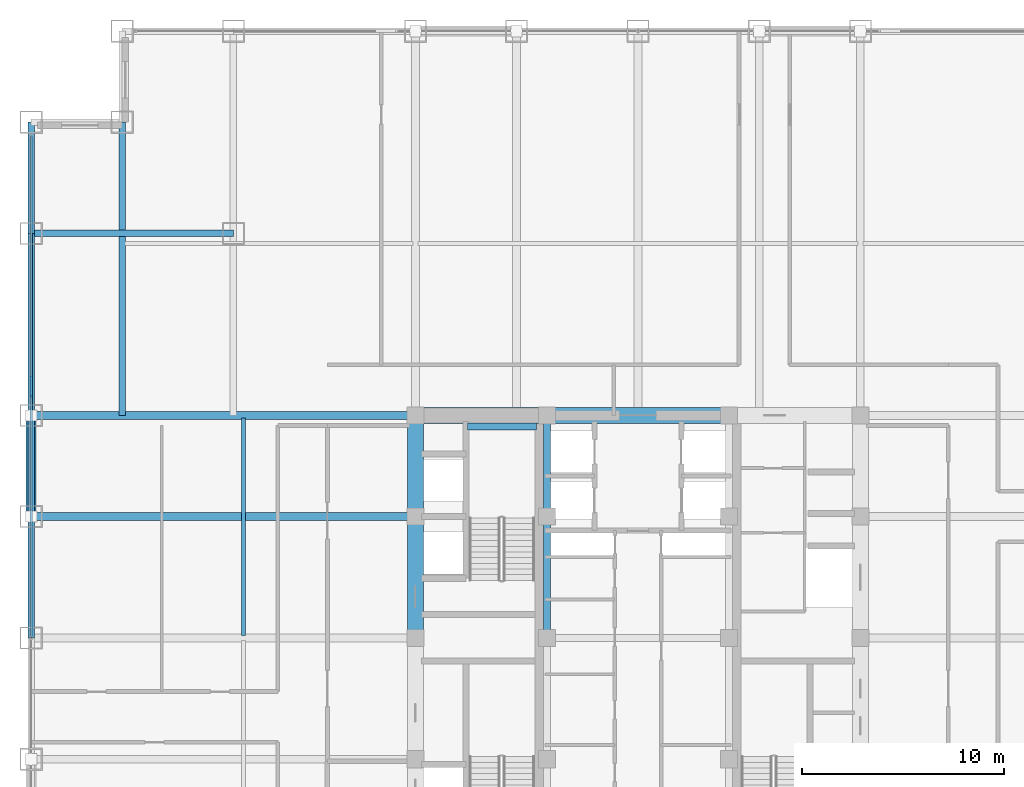
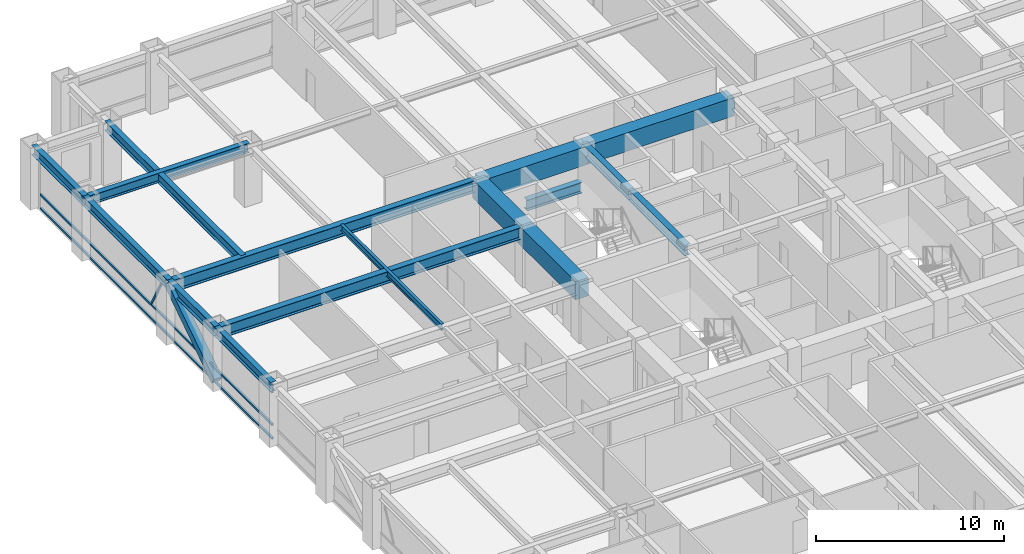
# One storey, part 11 of 24: 16 beams, 5 members, 1 element without a shape of its own.
"""IFC4 building model written with IfcOpenShell, lengths in metres."""

from ifc_helpers import new_model, si_unit, direction, frame, origin, origin_2d, place, context, subcontext, project, spatial, rectangle, hollow_rectangle, i_section, extrude, source, transform, mapped, material, material_profile, profile_set, type_object, element, aggregate, save


model = new_model("IFC4")

# Units and contexts
model_context = context("Model", 3, precision=1e-05, world=origin(), true_north=direction((0.0, 1.0)))
body_context = subcontext(model_context, "Body", "Model", "MODEL_VIEW")
ifc_project = project(units=[si_unit("LENGTHUNIT", "METRE"), si_unit("AREAUNIT", "SQUARE_METRE"), si_unit("VOLUMEUNIT", "CUBIC_METRE"), si_unit("PLANEANGLEUNIT", "RADIAN"), si_unit("MASSUNIT", "GRAM", prefix="KILO")], contexts=[model_context])

# Site, building, storey
site_placement = place(None, origin())
site = spatial("IfcSite", under=ifc_project, at=site_placement, CompositionType="ELEMENT")
building_placement = place(site_placement, origin())
building = spatial("IfcBuilding", under=site, at=building_placement, Name="Khorayat Bourse Tower", CompositionType="ELEMENT")
storey_placement = place(building_placement, frame((0.0, 0.0, 179.10009765625)))
storey = spatial("IfcBuildingStorey", under=building, at=storey_placement, Name="L41", CompositionType="ELEMENT", Elevation=179.10009765625)

# Beams
ifc_material_1 = material(Name="Concrete C72/90", Category="concrete")
ifc_material_profile_1 = material_profile(ifc_material_1, rectangle(XDim=0.800048828125, YDim=1.199951171875, at=origin_2d()), Name="RC 800x1200")
ifc_profile_set_1 = profile_set([ifc_material_profile_1], Name="Concrete C72/90")
beam_type_1 = type_object("IfcBeamType", Name="BM-COUP-1200", PredefinedType="BEAM", material=ifc_profile_set_1)
shared_shape_1 = source(origin(), body_context, "Body", "SweptSolid", [
    extrude(rectangle(XDim=0.800048828125, YDim=1.199951171875, at=origin_2d()), origin(), (0.0, 0.0, 1.0), 5.0),
])
beam_1_placement = place(storey_placement, frame((-11.0, 6.0, 3.179931640625), z_axis=(0.0, 1.0, 0.0), x_axis=(-1.0, 0.0, 0.0)))
element("IfcBeam", 1, at=beam_1_placement, inside=storey, type_object=beam_type_1, Name="L41 BM-COUP-1200 BM-L41-CRX-04", PredefinedType="BEAM", context=body_context, shape_type="MappedRepresentation", body=[
    mapped(shared_shape_1, transform((0.0, 0.0, 0.0), scale=1.0)),
])
shared_shape_2 = source(origin(), body_context, "Body", "SweptSolid", [
    extrude(rectangle(XDim=0.800048828125, YDim=1.199951171875, at=origin_2d()), origin(), (0.0, 0.0, 1.0), 6.0),
])
beam_2_placement = place(storey_placement, frame((-11.0, 0.0, 3.179931640625), z_axis=(0.0, 1.0, 0.0), x_axis=(-1.0, 0.0, 0.0)))
element("IfcBeam", 2, at=beam_2_placement, inside=storey, type_object=beam_type_1, Name="L41 BM-COUP-1200 BM-L41-CRX-03", PredefinedType="BEAM", context=body_context, shape_type="MappedRepresentation", body=[
    mapped(shared_shape_2, transform((0.0, 0.0, 0.0), scale=1.0)),
])
ifc_material_2 = material(Name="Steel ASTM A992 Grade 50", Category="steel")
ifc_material_profile_2 = material_profile(ifc_material_2, i_section(OverallWidth=0.35498046875, OverallDepth=0.695068359375, WebThickness=0.015380859375, FlangeThickness=0.02490234375, FilletRadius=0.01806640625, at=origin_2d()), Name="W690X217")
ifc_profile_set_2 = profile_set([ifc_material_profile_2], Name="Steel ASTM A992 Grade 50")
beam_type_2 = type_object("IfcBeamType", Name="BM-GIRD-690", PredefinedType="BEAM", material=ifc_profile_set_2)
shared_shape_3 = source(origin(), body_context, "Body", "SweptSolid", [
    extrude(i_section(OverallWidth=0.35498046875, OverallDepth=0.695068359375, WebThickness=0.015380859375, FlangeThickness=0.02490234375, FilletRadius=0.01806640625, at=origin_2d()), origin(), (0.0, 0.0, 1.0), 5.0),
])
beam_3_placement = place(storey_placement, frame((-4.5, 6.0, 3.432373046875), z_axis=(0.0, 1.0, 0.0), x_axis=(-1.0, 0.0, 0.0)))
element("IfcBeam", 3, at=beam_3_placement, inside=storey, type_object=beam_type_2, Name="L41 BM-GIRD-690 BM-L41-CRX-08", PredefinedType="BEAM", context=body_context, shape_type="MappedRepresentation", body=[
    mapped(shared_shape_3, transform((0.0, 0.0, 0.0), scale=1.0)),
])
shared_shape_4 = source(origin(), body_context, "Body", "SweptSolid", [
    extrude(i_section(OverallWidth=0.35498046875, OverallDepth=0.695068359375, WebThickness=0.015380859375, FlangeThickness=0.02490234375, FilletRadius=0.01806640625, at=origin_2d()), origin(), (0.0, 0.0, 1.0), 6.0),
])
beam_4_placement = place(storey_placement, frame((-4.5, 0.0, 3.432373046875), z_axis=(0.0, 1.0, 0.0), x_axis=(-1.0, 0.0, 0.0)))
element("IfcBeam", 4, at=beam_4_placement, inside=storey, type_object=beam_type_2, Name="L41 BM-GIRD-690 BM-L41-CRX-07", PredefinedType="BEAM", context=body_context, shape_type="MappedRepresentation", body=[
    mapped(shared_shape_4, transform((0.0, 0.0, 0.0), scale=1.0)),
])
shared_shape_5 = source(origin(), body_context, "Body", "SweptSolid", [
    extrude(rectangle(XDim=0.800048828125, YDim=1.199951171875, at=origin_2d()), origin(), (0.0, 0.0, 1.0), 6.5),
])
beam_5_placement = place(storey_placement, frame((-11.0, 11.0, 3.179931640625), z_axis=(1.0, 0.0, 0.0), x_axis=(0.0, 1.0, 0.0)))
element("IfcBeam", 5, at=beam_5_placement, inside=storey, type_object=beam_type_1, Name="L41 BM-COUP-1200 BM-L41-CRY-20", PredefinedType="BEAM", context=body_context, shape_type="MappedRepresentation", body=[
    mapped(shared_shape_5, transform((0.0, 0.0, 0.0), scale=1.0)),
])
shared_shape_6 = source(origin(), body_context, "Body", "SweptSolid", [
    extrude(rectangle(XDim=0.800048828125, YDim=1.199951171875, at=origin_2d()), origin(), (0.0, 0.0, 1.0), 9.0),
])
beam_6_placement = place(storey_placement, frame((-4.5, 11.0, 3.179931640625), z_axis=(1.0, 0.0, 0.0), x_axis=(0.0, 1.0, 0.0)))
element("IfcBeam", 6, at=beam_6_placement, inside=storey, type_object=beam_type_1, Name="L41 BM-COUP-1200 BM-L41-CRY-21", PredefinedType="BEAM", context=body_context, shape_type="MappedRepresentation", body=[
    mapped(shared_shape_6, transform((0.0, 0.0, 0.0), scale=1.0)),
])
shared_shape_7 = source(origin(), body_context, "Body", "SweptSolid", [
    extrude(i_section(OverallWidth=0.35498046875, OverallDepth=0.695068359375, WebThickness=0.015380859375, FlangeThickness=0.02490234375, FilletRadius=0.01806640625, at=origin_2d()), origin(), (0.0, 0.0, 1.0), 3.39990234375),
])
beam_7_placement = place(storey_placement, frame((-8.419921875, 10.449951171875, 1.452392578125), z_axis=(1.0, 0.0, 0.0), x_axis=(0.0, 1.0, 0.0)))
element("IfcBeam", 7, at=beam_7_placement, inside=storey, type_object=beam_type_2, Name="L41 BM-GIRD-690 BM-L41-ST2L", PredefinedType="BEAM", context=body_context, shape_type="MappedRepresentation", body=[
    mapped(shared_shape_7, transform((0.0, 0.0, 0.0), scale=1.0)),
])
ifc_material_profile_3 = material_profile(ifc_material_2, i_section(OverallWidth=0.381103515625, OverallDepth=0.77294921875, WebThickness=0.0166015625, FlangeThickness=0.027587890625, FilletRadius=0.01806640625, at=origin_2d()), Name="W760X257")
ifc_profile_set_3 = profile_set([ifc_material_profile_3], Name="Steel ASTM A992 Grade 50")
beam_type_3 = type_object("IfcBeamType", Name="BM-GIRD-760", PredefinedType="BEAM", material=ifc_profile_set_3)
shared_shape_8 = source(origin(), body_context, "Body", "SweptSolid", [
    extrude(i_section(OverallWidth=0.381103515625, OverallDepth=0.77294921875, WebThickness=0.0166015625, FlangeThickness=0.027587890625, FilletRadius=0.01806640625, at=origin_2d()), origin(), (0.0, 0.0, 1.0), 19.0),
])
for number, where, z_axis, x_axis, name in (
    (8, (-30.0, 6.0, 3.393310546875), (1.0, 0.0, 0.0), (0.0, 1.0, 0.0), "L41 BM-GIRD-760 BM-L41-RADX-081"),
    (9, (-30.0, 11.0, 3.393310546875), (1.0, 0.0, 0.0), (0.0, 1.0, 0.0), "L41 BM-GIRD-760 BM-L41-RADX-083"),
):
    element("IfcBeam", number, at=place(storey_placement, frame(where, z_axis=z_axis, x_axis=x_axis)), inside=storey, type_object=beam_type_3, Name=name, PredefinedType="BEAM", context=body_context, shape_type="MappedRepresentation", body=[
        mapped(shared_shape_8, transform((0.0, 0.0, 0.0), scale=1.0)),
    ])
ifc_material_profile_4 = material_profile(ifc_material_2, i_section(OverallWidth=0.324951171875, OverallDepth=0.615966796875, WebThickness=0.013916015625, FlangeThickness=0.021484375, FilletRadius=0.01611328125, at=origin_2d()), Name="W610X174")
ifc_profile_set_4 = profile_set([ifc_material_profile_4], Name="Steel ASTM A992 Grade 50")
beam_type_4 = type_object("IfcBeamType", Name="BM-GIRD-610", PredefinedType="BEAM", material=ifc_profile_set_4)
shared_shape_9 = source(origin(), body_context, "Body", "SweptSolid", [
    extrude(i_section(OverallWidth=0.324951171875, OverallDepth=0.615966796875, WebThickness=0.013916015625, FlangeThickness=0.021484375, FilletRadius=0.01611328125, at=origin_2d()), origin(), (0.0, 0.0, 1.0), 14.5),
])
beam_8_placement = place(storey_placement, frame((-25.5, 11.0, 3.471923828125), z_axis=(0.0, 1.0, 0.0), x_axis=(-1.0, 0.0, 0.0)))
element("IfcBeam", 10, at=beam_8_placement, inside=storey, type_object=beam_type_4, Name="L41 BM-GIRD-610 BM-L41-CNRY-089", PredefinedType="BEAM", context=body_context, shape_type="MappedRepresentation", body=[
    mapped(shared_shape_9, transform((0.0, 0.0, 0.0), scale=1.0)),
])
shared_shape_10 = source(origin(), body_context, "Body", "SweptSolid", [
    extrude(i_section(OverallWidth=0.324951171875, OverallDepth=0.615966796875, WebThickness=0.013916015625, FlangeThickness=0.021484375, FilletRadius=0.01611328125, at=origin_2d()), origin(), (0.0, 0.0, 1.0), 10.0),
])
beam_9_placement = place(storey_placement, frame((-30.0, 20.0, 3.471923828125), z_axis=(1.0, 0.0, 0.0), x_axis=(0.0, 1.0, 0.0)))
element("IfcBeam", 11, at=beam_9_placement, inside=storey, type_object=beam_type_4, Name="L41 BM-GIRD-610 BM-L41-CNRX-095", PredefinedType="BEAM", context=body_context, shape_type="MappedRepresentation", body=[
    mapped(shared_shape_10, transform((0.0, 0.0, 0.0), scale=1.0)),
])
ifc_material_profile_5 = material_profile(ifc_material_2, i_section(OverallWidth=0.180908203125, OverallDepth=0.4169921875, WebThickness=0.010986328125, FlangeThickness=0.018310546875, FilletRadius=0.011962890625, at=origin_2d()), Name="W410X85")
ifc_profile_set_5 = profile_set([ifc_material_profile_5], Name="Steel ASTM A992 Grade 50")
beam_type_5 = type_object("IfcBeamType", Name="BM-JOIST-410", PredefinedType="JOIST", material=ifc_profile_set_5)
shared_shape_11 = source(origin(), body_context, "Body", "SweptSolid", [
    extrude(i_section(OverallWidth=0.180908203125, OverallDepth=0.4169921875, WebThickness=0.010986328125, FlangeThickness=0.018310546875, FilletRadius=0.011962890625, at=origin_2d()), origin(), (0.0, 0.0, 1.0), 10.740234375),
])
beam_10_placement = place(storey_placement, frame((-19.5, 0.1298828125, 3.5712890625), z_axis=(0.0, 1.0, 0.0), x_axis=(-1.0, 0.0, 0.0)))
element("IfcBeam", 12, at=beam_10_placement, inside=storey, type_object=beam_type_5, Name="L41 BM-JOIST-410 BM-L41-JSTY-103", PredefinedType="JOIST", context=body_context, shape_type="MappedRepresentation", body=[
    mapped(shared_shape_11, transform((0.0, 0.0, 0.0), scale=1.0)),
])
ifc_material_profile_6 = material_profile(ifc_material_2, i_section(OverallWidth=0.324951171875, OverallDepth=0.615966796875, WebThickness=0.013916015625, FlangeThickness=0.021484375, FilletRadius=0.01611328125, at=origin_2d()), Name="W610X174")
ifc_profile_set_6 = profile_set([ifc_material_profile_6], Name="Steel ASTM A992 Grade 50")
beam_type_6 = type_object("IfcBeamType", Name="BM-SPAN-610", PredefinedType="SPANDREL", material=ifc_profile_set_6)
shared_shape_12 = source(origin(), body_context, "Body", "SweptSolid", [
    extrude(i_section(OverallWidth=0.324951171875, OverallDepth=0.615966796875, WebThickness=0.013916015625, FlangeThickness=0.021484375, FilletRadius=0.01611328125, at=origin_2d()), origin(), (0.0, 0.0, 1.0), 5.5),
])
beam_11_placement = place(storey_placement, frame((-30.0, 20.0, 3.471923828125), z_axis=(0.0, 1.0, 0.0), x_axis=(-1.0, 0.0, 0.0)))
element("IfcBeam", 13, at=beam_11_placement, inside=storey, type_object=beam_type_6, Name="L41 BM-SPAN-610 BM-L41-SPN-054", PredefinedType="SPANDREL", context=body_context, shape_type="MappedRepresentation", body=[
    mapped(shared_shape_12, transform((0.0, 0.0, 0.0), scale=1.0)),
])
shared_shape_13 = source(origin(), body_context, "Body", "SweptSolid", [
    extrude(i_section(OverallWidth=0.324951171875, OverallDepth=0.615966796875, WebThickness=0.013916015625, FlangeThickness=0.021484375, FilletRadius=0.01611328125, at=origin_2d()), origin(), (0.0, 0.0, 1.0), 9.0),
])
beam_12_placement = place(storey_placement, frame((-30.0, 11.0, 3.471923828125), z_axis=(0.0, 1.0, 0.0), x_axis=(-1.0, 0.0, 0.0)))
element("IfcBeam", 14, at=beam_12_placement, inside=storey, type_object=beam_type_6, Name="L41 BM-SPAN-610 BM-L41-SPN-055", PredefinedType="SPANDREL", context=body_context, shape_type="MappedRepresentation", body=[
    mapped(shared_shape_13, transform((0.0, 0.0, 0.0), scale=1.0)),
])
shared_shape_14 = source(origin(), body_context, "Body", "SweptSolid", [
    extrude(i_section(OverallWidth=0.324951171875, OverallDepth=0.615966796875, WebThickness=0.013916015625, FlangeThickness=0.021484375, FilletRadius=0.01611328125, at=origin_2d()), origin(), (0.0, 0.0, 1.0), 5.0),
])
beam_13_placement = place(storey_placement, frame((-30.0, 6.0, 3.471923828125), z_axis=(0.0, 1.0, 0.0), x_axis=(-1.0, 0.0, 0.0)))
element("IfcBeam", 15, at=beam_13_placement, inside=storey, type_object=beam_type_6, Name="L41 BM-SPAN-610 BM-L41-SPN-056", PredefinedType="SPANDREL", context=body_context, shape_type="MappedRepresentation", body=[
    mapped(shared_shape_14, transform((0.0, 0.0, 0.0), scale=1.0)),
])
shared_shape_15 = source(origin(), body_context, "Body", "SweptSolid", [
    extrude(i_section(OverallWidth=0.324951171875, OverallDepth=0.615966796875, WebThickness=0.013916015625, FlangeThickness=0.021484375, FilletRadius=0.01611328125, at=origin_2d()), origin(), (0.0, 0.0, 1.0), 6.0),
])
beam_14_placement = place(storey_placement, frame((-30.0, 0.0, 3.471923828125), z_axis=(0.0, 1.0, 0.0), x_axis=(-1.0, 0.0, 0.0)))
element("IfcBeam", 16, at=beam_14_placement, inside=storey, type_object=beam_type_6, Name="L41 BM-SPAN-610 BM-L41-SPN-057", PredefinedType="SPANDREL", context=body_context, shape_type="MappedRepresentation", body=[
    mapped(shared_shape_15, transform((0.0, 0.0, 0.0), scale=1.0)),
])

# Member
ifc_material_3 = material(Name="Steel EN 10025-4 S460M", Category="steel")
ifc_material_profile_7 = material_profile(ifc_material_3, hollow_rectangle(XDim=0.5, YDim=0.5, WallThickness=0.028076171875, at=origin_2d()), Name="HSS 500x500x28")
ifc_profile_set_7 = profile_set([ifc_material_profile_7], Name="Steel EN 10025-4 S460M")
member_type_1 = type_object("IfcMemberType", Name="MBR-TUBE-500", PredefinedType="BRACE", material=ifc_profile_set_7)
shared_shape_16 = source(origin(), body_context, "Body", "SweptSolid", [
    extrude(hollow_rectangle(XDim=0.5, YDim=0.5, WallThickness=0.028076171875, at=origin_2d()), origin(), (0.0, 0.0, 1.0), 5.979736328125),
])
member_1_placement = place(storey_placement, frame((-30.0, 6.0, 0.25), z_axis=(0.0, 0.836160261256, 0.548485202623), x_axis=(-1.0, 0.0, 0.0)))
element("IfcMember", 17, at=member_1_placement, inside=storey, type_object=member_type_1, Name="L41 Perimeter Tube Brace 06", PredefinedType="BRACE", context=body_context, shape_type="MappedRepresentation", body=[
    mapped(shared_shape_16, transform((0.0, 0.0, 0.0), scale=1.0)),
])

# Curtain wall, members
ifc_material_4 = material(Name="Aluminium EN AW-6063 T6", Category="aluminium")
curtain_wall_type = type_object("IfcCurtainWallType", Name="CW-SYS-03", PredefinedType="NOTDEFINED", material=ifc_material_4)
curtain_wall_placement = place(storey_placement, origin())
curtain_wall = element("IfcCurtainWall", 18, at=curtain_wall_placement, inside=storey, type_object=curtain_wall_type, Name="L41 Curtain Wall CW-L41-W1", PredefinedType="NOTDEFINED")
ifc_material_profile_8 = material_profile(ifc_material_4, hollow_rectangle(XDim=0.1201171875, YDim=0.1201171875, WallThickness=0.0048828125, at=origin_2d()), Name="ALU 120x120x5")
ifc_profile_set_8 = profile_set([ifc_material_profile_8], Name="Aluminium EN AW-6063 T6")
member_type_2 = type_object("IfcMemberType", Name="CWM-DIAG-120", PredefinedType="MULLION", material=ifc_profile_set_8)
shared_shape_17 = source(origin(), body_context, "Body", "SweptSolid", [
    extrude(hollow_rectangle(XDim=0.1201171875, YDim=0.1201171875, WallThickness=0.0048828125, at=origin_2d()), origin(), (0.0, 0.0, 1.0), 2.079345703125),
])
member_2_placement = place(storey_placement, frame((-30.0, 12.904296875, 1.08984375), z_axis=(0.0, -0.465760949701, 0.884910581773), x_axis=(1.0, 0.0, 0.0)))
member_2 = element("IfcMember", 19, at=member_2_placement, type_object=member_type_2, Name="CW-L41-W1 Faceted Diagonal Mullion 2", PredefinedType="MULLION", context=body_context, shape_type="MappedRepresentation", body=[
    mapped(shared_shape_17, transform((0.0, 0.0, 0.0), scale=1.0)),
])
ifc_material_profile_9 = material_profile(ifc_material_4, hollow_rectangle(XDim=0.1201171875, YDim=0.1201171875, WallThickness=0.0048828125, at=origin_2d()), Name="ALU 120x120x5")
ifc_profile_set_9 = profile_set([ifc_material_profile_9], Name="Aluminium EN AW-6063 T6")
member_type_3 = type_object("IfcMemberType", Name="CWT-HORZ-120", PredefinedType="USERDEFINED", material=ifc_profile_set_9)
shared_shape_18 = source(origin(), body_context, "Body", "SweptSolid", [
    extrude(hollow_rectangle(XDim=0.1201171875, YDim=0.1201171875, WallThickness=0.0048828125, at=origin_2d()), origin(), (0.0, 0.0, 1.0), 24.719970703125),
])
member_3_placement = place(storey_placement, frame((-30.0, 0.06005859375, 0.059814453125), z_axis=(0.0, 1.0, 0.0), x_axis=(-1.0, 0.0, 0.0)))
member_3 = element("IfcMember", 20, at=member_3_placement, type_object=member_type_3, Name="CW-L41-W1 Horizontal Transom 2-1", ObjectType="TRANSOM", PredefinedType="USERDEFINED", context=body_context, shape_type="MappedRepresentation", body=[
    mapped(shared_shape_18, transform((0.0, 0.0, 0.0), scale=1.0)),
])
member_4_placement = place(storey_placement, frame((-30.0, 0.06005859375, 0.949951171875), z_axis=(0.0, 1.0, 0.0), x_axis=(-1.0, 0.0, 0.0)))
member_4 = element("IfcMember", 21, at=member_4_placement, type_object=member_type_3, Name="CW-L41-W1 Horizontal Transom 2-2", ObjectType="TRANSOM", PredefinedType="USERDEFINED", context=body_context, shape_type="MappedRepresentation", body=[
    mapped(shared_shape_18, transform((0.0, 0.0, 0.0), scale=1.0)),
])
member_5_placement = place(storey_placement, frame((-30.0, 0.06005859375, 3.06982421875), z_axis=(0.0, 1.0, 0.0), x_axis=(-1.0, 0.0, 0.0)))
member_5 = element("IfcMember", 22, at=member_5_placement, type_object=member_type_3, Name="CW-L41-W1 Horizontal Transom 2-3", ObjectType="TRANSOM", PredefinedType="USERDEFINED", context=body_context, shape_type="MappedRepresentation", body=[
    mapped(shared_shape_18, transform((0.0, 0.0, 0.0), scale=1.0)),
])
aggregate(curtain_wall, [member_3, member_4, member_5, member_2])

save(model, "model.ifc")
